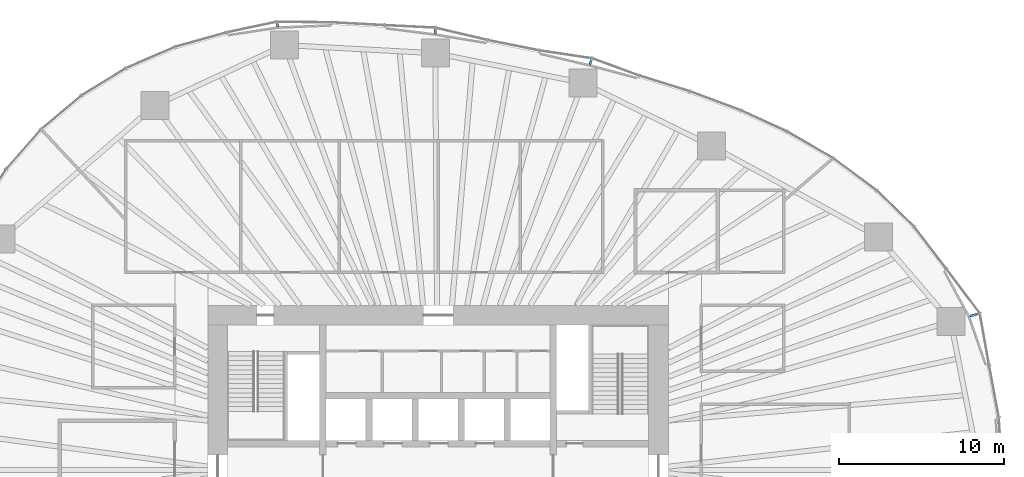
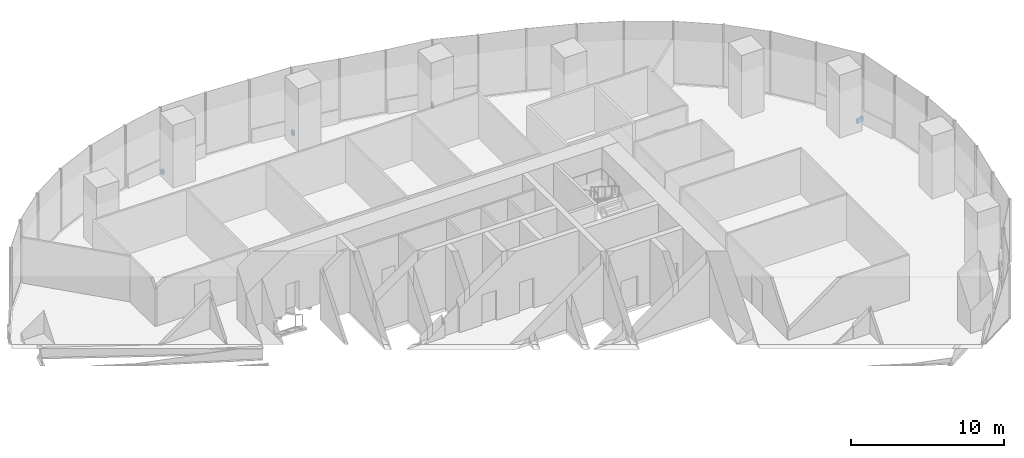
# One storey, part 15 of 20: 4 discrete accessories.
"""IFC4 building model written with IfcOpenShell, lengths in metres."""

from ifc_helpers import new_model, si_unit, direction, frame, origin, origin_2d, place, context, subcontext, project, spatial, rectangle, extrude, material, type_object, element, save


model = new_model("IFC4")

# Units and contexts
model_context = context("Model", 3, precision=1e-05, world=origin(), true_north=direction((0.0, 1.0)))
body_context = subcontext(model_context, "Body", "Model", "MODEL_VIEW")
ifc_project = project(units=[si_unit("LENGTHUNIT", "METRE"), si_unit("AREAUNIT", "SQUARE_METRE"), si_unit("VOLUMEUNIT", "CUBIC_METRE"), si_unit("PLANEANGLEUNIT", "RADIAN"), si_unit("MASSUNIT", "GRAM", prefix="KILO")], contexts=[model_context])

# Site, building, storey
site_placement = place(None, origin())
site = spatial("IfcSite", under=ifc_project, at=site_placement, CompositionType="ELEMENT")
building_placement = place(site_placement, origin())
building = spatial("IfcBuilding", under=site, at=building_placement, Name="Ghaith Harvest Tower", CompositionType="ELEMENT")
storey_placement = place(building_placement, frame((0.0, 0.0, 90.0)))
storey = spatial("IfcBuildingStorey", under=building, at=storey_placement, Name="L18", CompositionType="ELEMENT", Elevation=90.0)

# Discrete accessories
ifc_material_1 = material(Name="Stainless steel grade 1.4401", Category="steel")
discrete_accessory_type_1 = type_object("IfcDiscreteAccessoryType", Name="CURTAIN WALL BRACKET 205", PredefinedType="BRACKET", material=ifc_material_1)
discrete_accessory_1_placement = place(storey_placement, frame((-9.766845703125, 27.04150390625, -0.25), z_axis=(0.0, 0.0, 1.0), x_axis=(-0.339699453402, 0.94053404051, 0.0)))
element("IfcDiscreteAccessory", 1, at=discrete_accessory_1_placement, inside=storey, type_object=discrete_accessory_type_1, Name="CW-F bracket 1 bay 07 L18", PredefinedType="BRACKET", context=body_context, shape_type="SweptSolid", body=[
    extrude(rectangle(XDim=0.205078125, YDim=0.14990234375, at=origin_2d()), origin(), (0.0, 0.0, 1.0), 0.35009765625),
])
ifc_material_2 = material(Name="Stainless steel grade 1.4401", Category="steel")
discrete_accessory_type_2 = type_object("IfcDiscreteAccessoryType", Name="CURTAIN WALL BRACKET 255", PredefinedType="BRACKET", material=ifc_material_2)
discrete_accessory_2_placement = place(storey_placement, frame((-0.182373046875, 26.649658203125, -0.25), z_axis=(0.0, 0.0, 1.0), x_axis=(-0.006843747783, 0.999976581284, 0.0)))
element("IfcDiscreteAccessory", 2, at=discrete_accessory_2_placement, inside=storey, type_object=discrete_accessory_type_2, Name="CW-F bracket 1 bay 06 L18", PredefinedType="BRACKET", context=body_context, shape_type="SweptSolid", body=[
    extrude(rectangle(XDim=0.2548828125, YDim=0.14990234375, at=origin_2d()), origin(), (0.0, 0.0, 1.0), 0.35009765625),
])
ifc_material_3 = material(Name="Stainless steel grade 1.4401", Category="steel")
discrete_accessory_type_3 = type_object("IfcDiscreteAccessoryType", Name="CURTAIN WALL BRACKET 295", PredefinedType="BRACKET", material=ifc_material_3)
discrete_accessory_3_placement = place(storey_placement, frame((9.265380859375, 24.7841796875, -0.25), z_axis=(0.0, 0.0, 1.0), x_axis=(0.35016769709, 0.936687025593, 0.0)))
element("IfcDiscreteAccessory", 3, at=discrete_accessory_3_placement, inside=storey, type_object=discrete_accessory_type_3, Name="CW-F bracket 1 bay 05 L18", PredefinedType="BRACKET", context=body_context, shape_type="SweptSolid", body=[
    extrude(rectangle(XDim=0.294921875, YDim=0.14990234375, at=origin_2d()), origin(), (0.0, 0.0, 1.0), 0.35009765625),
])
ifc_material_4 = material(Name="Stainless steel grade 1.4401", Category="steel")
discrete_accessory_type_4 = type_object("IfcDiscreteAccessoryType", Name="CURTAIN WALL BRACKET 535", PredefinedType="BRACKET", material=ifc_material_4)
discrete_accessory_4_placement = place(storey_placement, frame((32.570556640625, 9.41357421875, -0.25), z_axis=(0.0, 0.0, 1.0), x_axis=(0.960680349985, 0.277656739792, 0.0)))
element("IfcDiscreteAccessory", 4, at=discrete_accessory_4_placement, inside=storey, type_object=discrete_accessory_type_4, Name="CW-F bracket 1 bay 02 L18", PredefinedType="BRACKET", context=body_context, shape_type="SweptSolid", body=[
    extrude(rectangle(XDim=0.534912109375, YDim=0.14990234375, at=origin_2d()), origin(), (0.0, 0.0, 1.0), 0.35009765625),
])

save(model, "model.ifc")
